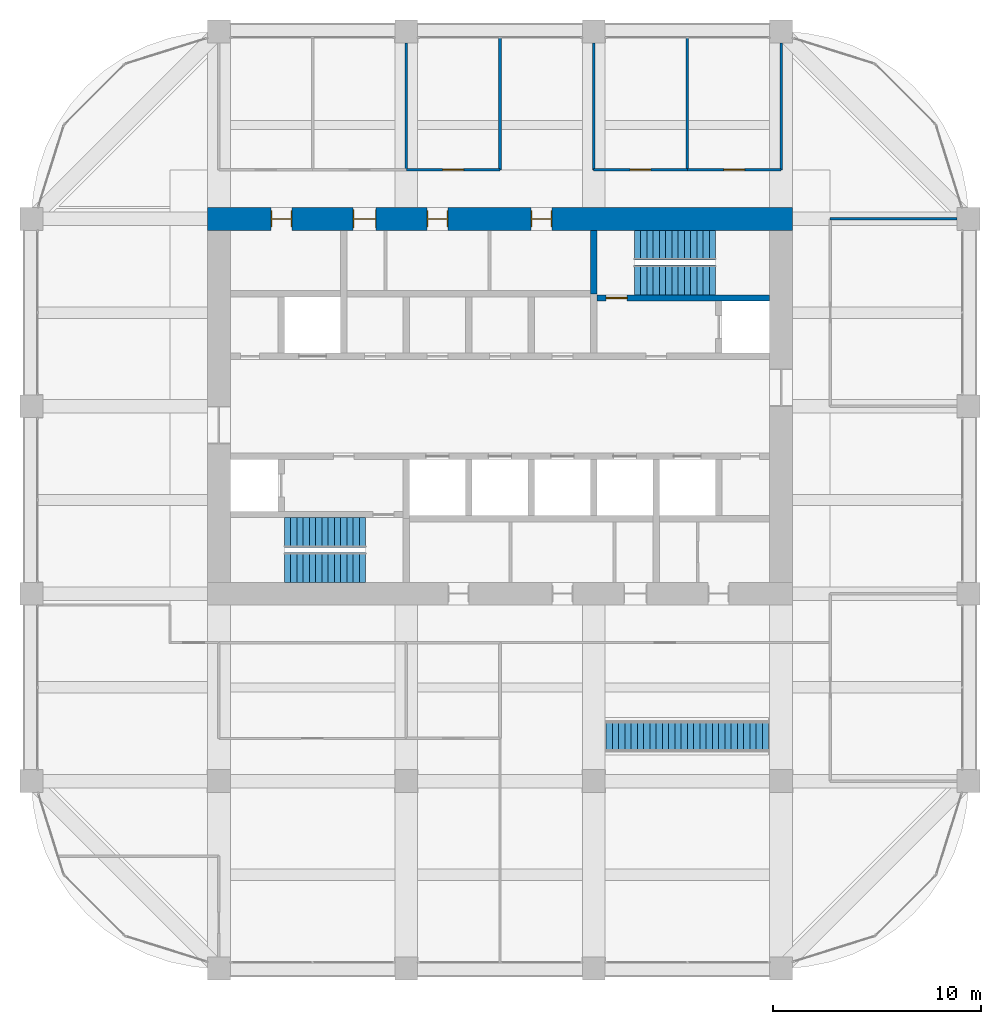
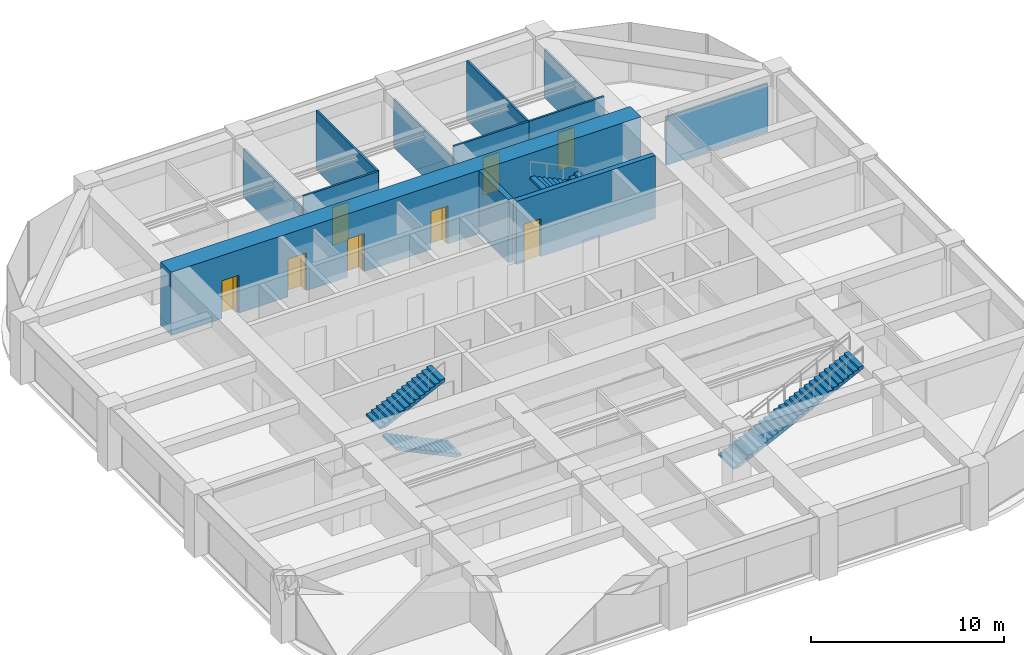
# One storey, part 43 of 44: 12 walls, 8 doors, 5 stair flights, 8 openings, 3 elements without a shape of their own.
"""IFC4 building model written with IfcOpenShell, lengths in metres."""

from ifc_helpers import new_model, si_unit, direction, frame, frame_2d, origin, place, context, subcontext, project, spatial, polyline, rectangle, outline, extrude, material, layer, layer_set, constituent, constituent_set, type_object, element, fill, aggregate, save


model = new_model("IFC4")

# Units and contexts
model_context = context("Model", 3, precision=1e-05, world=origin(), true_north=direction((0.0, 1.0)))
body_context = subcontext(model_context, "Body", "Model", "MODEL_VIEW")
ifc_project = project(units=[si_unit("LENGTHUNIT", "METRE"), si_unit("AREAUNIT", "SQUARE_METRE"), si_unit("VOLUMEUNIT", "CUBIC_METRE"), si_unit("PLANEANGLEUNIT", "RADIAN"), si_unit("MASSUNIT", "GRAM", prefix="KILO")], contexts=[model_context])

# Site, building, storey
site_placement = place(None, origin())
site = spatial("IfcSite", under=ifc_project, at=site_placement, CompositionType="ELEMENT")
building_placement = place(site_placement, origin())
building = spatial("IfcBuilding", under=site, at=building_placement, Name="Zorevar Civic Tower", CompositionType="ELEMENT")
storey_placement = place(building_placement, frame((0.0, 0.0, 251.39990234375)))
storey = spatial("IfcBuildingStorey", under=building, at=storey_placement, Name="L61", CompositionType="ELEMENT", Elevation=251.39990234375)

# Wall, openings, doors
ifc_material_1 = material(Name="Concrete C50/60", Category="concrete")
ifc_layer_1 = layer(ifc_material_1, 1.10009765625)
ifc_layer_set_1 = layer_set([ifc_layer_1], Name="Core wall 1100")
wall_type_1 = type_object("IfcWallType", Name="Core wall 1100", PredefinedType="SHEAR", material=ifc_layer_set_1)
wall_1_placement = place(storey_placement, frame((45.550048828125, 36.0, 0.0), z_axis=(0.0, 0.0, 1.0), x_axis=(-1.0, 0.0, 0.0)))
wall_1 = element("IfcWall", 1, at=wall_1_placement, inside=storey, type_object=wall_type_1, Name="Core wall N L61", PredefinedType="SHEAR", context=body_context, shape_type="SweptSolid", body=[
    extrude(rectangle(XDim=28.10009765625, YDim=1.10009765625, at=frame_2d((14.050048828125, 0.0))), origin(), (0.0, 0.0, 1.0), 4.0),
])
opening_1_placement = place(wall_1_placement, frame((11.550048828125, 0.0, 0.0)))
opening_1 = element("IfcOpeningElement", 2, at=opening_1_placement, cuts=wall_1, Name="Opening L61.07", PredefinedType="OPENING", context=body_context, shape_type="SweptSolid", body=[
    extrude(rectangle(XDim=1.0, YDim=2.39990234375, at=frame_2d((0.5, 1.199951171875))), frame((0.0, 0.56005859375, 0.0), z_axis=(0.0, -1.0, 0.0), x_axis=(1.0, 0.0, 0.0)), (0.0, 0.0, 1.0), 1.1201171875),
])
opening_2_placement = place(wall_1_placement, frame((16.550048828125, 0.0, 0.0)))
opening_2 = element("IfcOpeningElement", 3, at=opening_2_placement, cuts=wall_1, Name="Opening L61.08", PredefinedType="OPENING", context=body_context, shape_type="SweptSolid", body=[
    extrude(rectangle(XDim=1.0, YDim=2.39990234375, at=frame_2d((0.5, 1.199951171875))), frame((0.0, 0.56005859375, 0.0), z_axis=(0.0, -1.0, 0.0), x_axis=(1.0, 0.0, 0.0)), (0.0, 0.0, 1.0), 1.1201171875),
])
opening_3_placement = place(wall_1_placement, frame((20.0, 0.0, 0.0)))
opening_3 = element("IfcOpeningElement", 4, at=opening_3_placement, cuts=wall_1, Name="Opening L61.09", PredefinedType="OPENING", context=body_context, shape_type="SweptSolid", body=[
    extrude(rectangle(XDim=1.10009765625, YDim=2.39990234375, at=frame_2d((0.550048828125, 1.199951171875))), frame((0.0, 0.56005859375, 0.0), z_axis=(0.0, -1.0, 0.0), x_axis=(1.0, 0.0, 0.0)), (0.0, 0.0, 1.0), 1.1201171875),
])
opening_4_placement = place(wall_1_placement, frame((24.050048828125, 0.0, 0.0)))
opening_4 = element("IfcOpeningElement", 5, at=opening_4_placement, cuts=wall_1, Name="Opening L61.10", PredefinedType="OPENING", context=body_context, shape_type="SweptSolid", body=[
    extrude(rectangle(XDim=1.0, YDim=2.39990234375, at=frame_2d((0.5, 1.199951171875))), frame((0.0, 0.56005859375, 0.0), z_axis=(0.0, -1.0, 0.0), x_axis=(1.0, 0.0, 0.0)), (0.0, 0.0, 1.0), 1.1201171875),
])
ifc_material_2 = material(Name="Timber door set", Category="wood")
door_type_1 = type_object("IfcDoorType", Name="Door D1 1000x2400", OperationType="SINGLE_SWING_LEFT", PredefinedType="DOOR", material=ifc_material_2)
door_1_placement = place(opening_1_placement, origin())
door_1 = element("IfcDoor", 6, at=door_1_placement, inside=storey, type_object=door_type_1, Name="Door L61 06", OperationType="SINGLE_SWING_LEFT", OverallHeight=2.39990234375, OverallWidth=1.0, PredefinedType="DOOR", context=body_context, shape_type="SweptSolid", body=[
    extrude(rectangle(XDim=1.0, YDim=2.39990234375, at=frame_2d((0.5, 1.199951171875))), frame((0.0, 0.02490234375, 0.0), z_axis=(0.0, -1.0, 0.0), x_axis=(1.0, 0.0, 0.0)), (0.0, 0.0, 1.0), 0.050048828125),
    extrude(rectangle(XDim=0.04, YDim=2.39990234375, at=frame_2d((0.02001953125, 1.199951171875))), frame((0.0, 0.39990234375, 0.0), z_axis=(0.0, -1.0, 0.0), x_axis=(1.0, 0.0, 0.0)), (0.0, 0.0, 1.0), 0.800048828125),
    extrude(rectangle(XDim=0.04, YDim=2.39990234375, at=frame_2d((0.97998046875, 1.199951171875))), frame((0.0, 0.39990234375, 0.0), z_axis=(0.0, -1.0, 0.0), x_axis=(1.0, 0.0, 0.0)), (0.0, 0.0, 1.0), 0.800048828125),
    extrude(rectangle(XDim=1.0, YDim=0.04, at=frame_2d((0.5, 2.3798828125))), frame((0.0, 0.39990234375, 0.0), z_axis=(0.0, -1.0, 0.0), x_axis=(1.0, 0.0, 0.0)), (0.0, 0.0, 1.0), 0.800048828125),
])
fill(opening_1, door_1)
door_2_placement = place(opening_2_placement, origin())
door_2 = element("IfcDoor", 7, at=door_2_placement, inside=storey, type_object=door_type_1, Name="Door L61 07", OperationType="SINGLE_SWING_RIGHT", OverallHeight=2.39990234375, OverallWidth=1.0, PredefinedType="DOOR", context=body_context, shape_type="SweptSolid", body=[
    extrude(rectangle(XDim=1.0, YDim=2.39990234375, at=frame_2d((0.5, 1.199951171875))), frame((0.0, 0.02490234375, 0.0), z_axis=(0.0, -1.0, 0.0), x_axis=(1.0, 0.0, 0.0)), (0.0, 0.0, 1.0), 0.050048828125),
    extrude(rectangle(XDim=0.04, YDim=2.39990234375, at=frame_2d((0.02001953125, 1.199951171875))), frame((0.0, 0.39990234375, 0.0), z_axis=(0.0, -1.0, 0.0), x_axis=(1.0, 0.0, 0.0)), (0.0, 0.0, 1.0), 0.800048828125),
    extrude(rectangle(XDim=0.04, YDim=2.39990234375, at=frame_2d((0.97998046875, 1.199951171875))), frame((0.0, 0.39990234375, 0.0), z_axis=(0.0, -1.0, 0.0), x_axis=(1.0, 0.0, 0.0)), (0.0, 0.0, 1.0), 0.800048828125),
    extrude(rectangle(XDim=1.0, YDim=0.04, at=frame_2d((0.5, 2.3798828125))), frame((0.0, 0.39990234375, 0.0), z_axis=(0.0, -1.0, 0.0), x_axis=(1.0, 0.0, 0.0)), (0.0, 0.0, 1.0), 0.800048828125),
])
fill(opening_2, door_2)
door_3_placement = place(opening_4_placement, origin())
door_3 = element("IfcDoor", 8, at=door_3_placement, inside=storey, type_object=door_type_1, Name="Door L61 09", OperationType="SINGLE_SWING_RIGHT", OverallHeight=2.39990234375, OverallWidth=1.0, PredefinedType="DOOR", context=body_context, shape_type="SweptSolid", body=[
    extrude(rectangle(XDim=1.0, YDim=2.39990234375, at=frame_2d((0.5, 1.199951171875))), frame((0.0, 0.02490234375, 0.0), z_axis=(0.0, -1.0, 0.0), x_axis=(1.0, 0.0, 0.0)), (0.0, 0.0, 1.0), 0.050048828125),
    extrude(rectangle(XDim=0.04, YDim=2.39990234375, at=frame_2d((0.02001953125, 1.199951171875))), frame((0.0, 0.39990234375, 0.0), z_axis=(0.0, -1.0, 0.0), x_axis=(1.0, 0.0, 0.0)), (0.0, 0.0, 1.0), 0.800048828125),
    extrude(rectangle(XDim=0.04, YDim=2.39990234375, at=frame_2d((0.97998046875, 1.199951171875))), frame((0.0, 0.39990234375, 0.0), z_axis=(0.0, -1.0, 0.0), x_axis=(1.0, 0.0, 0.0)), (0.0, 0.0, 1.0), 0.800048828125),
    extrude(rectangle(XDim=1.0, YDim=0.04, at=frame_2d((0.5, 2.3798828125))), frame((0.0, 0.39990234375, 0.0), z_axis=(0.0, -1.0, 0.0), x_axis=(1.0, 0.0, 0.0)), (0.0, 0.0, 1.0), 0.800048828125),
])
fill(opening_4, door_3)
ifc_material_3 = material(Name="Timber door set", Category="wood")
door_type_2 = type_object("IfcDoorType", Name="Door D5 1100x2400", OperationType="SINGLE_SWING_LEFT", PredefinedType="DOOR", material=ifc_material_3)
door_4_placement = place(opening_3_placement, origin())
door_4 = element("IfcDoor", 9, at=door_4_placement, inside=storey, type_object=door_type_2, Name="Door L61 08", OperationType="SINGLE_SWING_RIGHT", OverallHeight=2.39990234375, OverallWidth=1.10009765625, PredefinedType="DOOR", context=body_context, shape_type="SweptSolid", body=[
    extrude(rectangle(XDim=1.10009765625, YDim=2.39990234375, at=frame_2d((0.550048828125, 1.199951171875))), frame((0.0, 0.02490234375, 0.0), z_axis=(0.0, -1.0, 0.0), x_axis=(1.0, 0.0, 0.0)), (0.0, 0.0, 1.0), 0.050048828125),
    extrude(rectangle(XDim=0.04, YDim=2.39990234375, at=frame_2d((0.02001953125, 1.199951171875))), frame((0.0, 0.43994140625, 0.0), z_axis=(0.0, -1.0, 0.0), x_axis=(1.0, 0.0, 0.0)), (0.0, 0.0, 1.0), 0.880126953125),
    extrude(rectangle(XDim=0.04, YDim=2.39990234375, at=frame_2d((1.080078125, 1.199951171875))), frame((0.0, 0.43994140625, 0.0), z_axis=(0.0, -1.0, 0.0), x_axis=(1.0, 0.0, 0.0)), (0.0, 0.0, 1.0), 0.880126953125),
    extrude(rectangle(XDim=1.10009765625, YDim=0.04, at=frame_2d((0.550048828125, 2.3798828125))), frame((0.0, 0.43994140625, 0.0), z_axis=(0.0, -1.0, 0.0), x_axis=(1.0, 0.0, 0.0)), (0.0, 0.0, 1.0), 0.880126953125),
])
fill(opening_3, door_4)

# Wall, opening, door
ifc_material_4 = material(Name="Concrete C40/50", Category="concrete")
ifc_layer_2 = layer(ifc_material_4, 0.300048828125)
ifc_layer_set_2 = layer_set([ifc_layer_2], Name="Inner core wall 300")
wall_type_2 = type_object("IfcWallType", Name="Inner core wall 300", PredefinedType="SHEAR", material=ifc_layer_set_2)
wall_2_placement = place(storey_placement, frame((36.14990234375, 32.199951171875, 0.0), z_axis=(0.0, 0.0, 1.0), x_axis=(1.0, 0.0, 0.0)))
wall_2 = element("IfcWall", 10, at=wall_2_placement, inside=storey, type_object=wall_type_2, Name="Inner core wall N00 L61", PredefinedType="SHEAR", context=body_context, shape_type="SweptSolid", body=[
    extrude(rectangle(XDim=8.300048828125, YDim=0.300048828125, at=frame_2d((4.14990234375, 0.0))), origin(), (0.0, 0.0, 1.0), 4.0),
])
opening_5_placement = place(wall_2_placement, frame((0.449951171875, 0.0, 0.0)))
opening_5 = element("IfcOpeningElement", 11, at=opening_5_placement, cuts=wall_2, Name="Opening L61.12", PredefinedType="OPENING", context=body_context, shape_type="SweptSolid", body=[
    extrude(rectangle(XDim=1.0, YDim=2.39990234375, at=frame_2d((0.5, 1.199951171875))), frame((0.0, 0.159912109375, 0.0), z_axis=(0.0, -1.0, 0.0), x_axis=(1.0, 0.0, 0.0)), (0.0, 0.0, 1.0), 0.320068359375),
])
ifc_material_5 = material(Name="Steel door set", Category="steel")
door_type_3 = type_object("IfcDoorType", Name="Fire door FD1 1000x2400", OperationType="SINGLE_SWING_LEFT", PredefinedType="DOOR", material=ifc_material_5)
door_5_placement = place(opening_5_placement, origin())
door_5 = element("IfcDoor", 12, at=door_5_placement, inside=storey, type_object=door_type_3, Name="Door L61 11", OperationType="SINGLE_SWING_RIGHT", OverallHeight=2.39990234375, OverallWidth=1.0, PredefinedType="DOOR", context=body_context, shape_type="SweptSolid", body=[
    extrude(rectangle(XDim=1.0, YDim=2.39990234375, at=frame_2d((0.5, 1.199951171875))), frame((0.0, 0.030029296875, 0.0), z_axis=(0.0, -1.0, 0.0), x_axis=(1.0, 0.0, 0.0)), (0.0, 0.0, 1.0), 0.06005859375),
])
fill(opening_5, door_5)

# Walls
wall_3_placement = place(storey_placement, frame((36.0, 32.39990234375, 0.0), z_axis=(0.0, 0.0, 1.0), x_axis=(0.0, 1.0, 0.0)))
element("IfcWall", 13, at=wall_3_placement, inside=storey, type_object=wall_type_2, Name="Inner core wall N01 L61", PredefinedType="SHEAR", context=body_context, shape_type="SweptSolid", body=[
    extrude(rectangle(XDim=3.050048828125, YDim=0.300048828125, at=frame_2d((1.52490234375, 0.0))), origin(), (0.0, 0.0, 1.0), 4.0),
])
ifc_material_6 = material(Name="Gypsum board on steel studs", Category="steel")
ifc_layer_3 = layer(ifc_material_6, 0.1201171875)
ifc_layer_set_3 = layer_set([ifc_layer_3], Name="Partition 120")
wall_type_3 = type_object("IfcWallType", Name="Partition 120", PredefinedType="PARTITIONING", material=ifc_layer_set_3)
wall_4_placement = place(storey_placement, frame((47.35009765625, 36.0, 0.0), z_axis=(0.0, 0.0, 1.0), x_axis=(1.0, 0.0, 0.0)))
element("IfcWall", 14, at=wall_4_placement, inside=storey, type_object=wall_type_3, Name="Partition 120 L61", PredefinedType="PARTITIONING", context=body_context, shape_type="SweptSolid", body=[
    extrude(rectangle(XDim=6.099853515625, YDim=0.1201171875, at=frame_2d((3.0498046875, 0.0))), origin(), (0.0, 0.0, 1.0), 3.050048828125),
])

# Wall, opening, door
wall_5_placement = place(storey_placement, frame((27.0, 38.35009765625, 0.0), z_axis=(0.0, 0.0, 1.0), x_axis=(1.0, 0.0, 0.0)))
wall_5 = element("IfcWall", 15, at=wall_5_placement, inside=storey, type_object=wall_type_3, Name="Partition 120 L61", PredefinedType="PARTITIONING", context=body_context, shape_type="SweptSolid", body=[
    extrude(rectangle(XDim=4.5, YDim=0.1201171875, at=frame_2d((2.25, 0.0))), origin(), (0.0, 0.0, 1.0), 3.75),
])
opening_6_placement = place(wall_5_placement, frame((1.75, 0.0, 0.0)))
opening_6 = element("IfcOpeningElement", 16, at=opening_6_placement, cuts=wall_5, Name="Opening L61.23", PredefinedType="OPENING", context=body_context, shape_type="SweptSolid", body=[
    extrude(rectangle(XDim=1.0, YDim=2.39990234375, at=frame_2d((0.5, 1.199951171875))), frame((0.0, 0.070068359375, 0.0), z_axis=(0.0, -1.0, 0.0), x_axis=(1.0, 0.0, 0.0)), (0.0, 0.0, 1.0), 0.14013671875),
])
door_6_placement = place(opening_6_placement, origin())
door_6 = element("IfcDoor", 17, at=door_6_placement, inside=storey, type_object=door_type_1, Name="Door L61 D1", OperationType="SINGLE_SWING_LEFT", OverallHeight=2.39990234375, OverallWidth=1.0, PredefinedType="DOOR", context=body_context, shape_type="SweptSolid", body=[
    extrude(rectangle(XDim=1.0, YDim=2.39990234375, at=frame_2d((0.5, 1.199951171875))), frame((0.0, 0.02490234375, 0.0), z_axis=(0.0, -1.0, 0.0), x_axis=(1.0, 0.0, 0.0)), (0.0, 0.0, 1.0), 0.050048828125),
])
fill(opening_6, door_6)

wall_6_placement = place(storey_placement, frame((36.0, 38.35009765625, 0.0), z_axis=(0.0, 0.0, 1.0), x_axis=(1.0, 0.0, 0.0)))
wall_6 = element("IfcWall", 18, at=wall_6_placement, inside=storey, type_object=wall_type_3, Name="Partition 120 L61", PredefinedType="PARTITIONING", context=body_context, shape_type="SweptSolid", body=[
    extrude(rectangle(XDim=4.5, YDim=0.1201171875, at=frame_2d((2.25, 0.0))), origin(), (0.0, 0.0, 1.0), 3.75),
])
opening_7_placement = place(wall_6_placement, frame((1.75, 0.0, 0.0)))
opening_7 = element("IfcOpeningElement", 19, at=opening_7_placement, cuts=wall_6, Name="Opening L61.24", PredefinedType="OPENING", context=body_context, shape_type="SweptSolid", body=[
    extrude(rectangle(XDim=1.0, YDim=2.39990234375, at=frame_2d((0.5, 1.199951171875))), frame((0.0, 0.070068359375, 0.0), z_axis=(0.0, -1.0, 0.0), x_axis=(1.0, 0.0, 0.0)), (0.0, 0.0, 1.0), 0.14013671875),
])
door_7_placement = place(opening_7_placement, origin())
door_7 = element("IfcDoor", 20, at=door_7_placement, inside=storey, type_object=door_type_1, Name="Door L61 D1", OperationType="SINGLE_SWING_RIGHT", OverallHeight=2.39990234375, OverallWidth=1.0, PredefinedType="DOOR", context=body_context, shape_type="SweptSolid", body=[
    extrude(rectangle(XDim=1.0, YDim=2.39990234375, at=frame_2d((0.5, 1.199951171875))), frame((0.0, 0.02490234375, 0.0), z_axis=(0.0, -1.0, 0.0), x_axis=(1.0, 0.0, 0.0)), (0.0, 0.0, 1.0), 0.050048828125),
])
fill(opening_7, door_7)

wall_7_placement = place(storey_placement, frame((40.5, 38.35009765625, 0.0), z_axis=(0.0, 0.0, 1.0), x_axis=(1.0, 0.0, 0.0)))
wall_7 = element("IfcWall", 21, at=wall_7_placement, inside=storey, type_object=wall_type_3, Name="Partition 120 L61", PredefinedType="PARTITIONING", context=body_context, shape_type="SweptSolid", body=[
    extrude(rectangle(XDim=4.5, YDim=0.1201171875, at=frame_2d((2.25, 0.0))), origin(), (0.0, 0.0, 1.0), 3.75),
])
opening_8_placement = place(wall_7_placement, frame((1.75, 0.0, 0.0)))
opening_8 = element("IfcOpeningElement", 22, at=opening_8_placement, cuts=wall_7, Name="Opening L61.25", PredefinedType="OPENING", context=body_context, shape_type="SweptSolid", body=[
    extrude(rectangle(XDim=1.0, YDim=2.39990234375, at=frame_2d((0.5, 1.199951171875))), frame((0.0, 0.070068359375, 0.0), z_axis=(0.0, -1.0, 0.0), x_axis=(1.0, 0.0, 0.0)), (0.0, 0.0, 1.0), 0.14013671875),
])
door_8_placement = place(opening_8_placement, origin())
door_8 = element("IfcDoor", 23, at=door_8_placement, inside=storey, type_object=door_type_1, Name="Door L61 D1", OperationType="SINGLE_SWING_RIGHT", OverallHeight=2.39990234375, OverallWidth=1.0, PredefinedType="DOOR", context=body_context, shape_type="SweptSolid", body=[
    extrude(rectangle(XDim=1.0, YDim=2.39990234375, at=frame_2d((0.5, 1.199951171875))), frame((0.0, 0.02490234375, 0.0), z_axis=(0.0, -1.0, 0.0), x_axis=(1.0, 0.0, 0.0)), (0.0, 0.0, 1.0), 0.050048828125),
])
fill(opening_8, door_8)

# Walls
wall_8_placement = place(storey_placement, frame((27.0, 38.35009765625, 0.0), z_axis=(0.0, 0.0, 1.0), x_axis=(0.0, 1.0, 0.0)))
element("IfcWall", 24, at=wall_8_placement, inside=storey, type_object=wall_type_3, Name="Partition 120 L61", PredefinedType="PARTITIONING", context=body_context, shape_type="SweptSolid", body=[
    extrude(rectangle(XDim=6.099853515625, YDim=0.1201171875, at=frame_2d((3.0498046875, 0.0))), origin(), (0.0, 0.0, 1.0), 3.050048828125),
])
wall_9_placement = place(storey_placement, frame((31.5, 38.35009765625, 0.0), z_axis=(0.0, 0.0, 1.0), x_axis=(0.0, 1.0, 0.0)))
element("IfcWall", 25, at=wall_9_placement, inside=storey, type_object=wall_type_3, Name="Partition 120 L61", PredefinedType="PARTITIONING", context=body_context, shape_type="SweptSolid", body=[
    extrude(rectangle(XDim=6.33984375, YDim=0.1201171875, at=frame_2d((3.169921875, 0.0))), origin(), (0.0, 0.0, 1.0), 3.75),
])
wall_10_placement = place(storey_placement, frame((36.0, 38.35009765625, 0.0), z_axis=(0.0, 0.0, 1.0), x_axis=(0.0, 1.0, 0.0)))
element("IfcWall", 26, at=wall_10_placement, inside=storey, type_object=wall_type_3, Name="Partition 120 L61", PredefinedType="PARTITIONING", context=body_context, shape_type="SweptSolid", body=[
    extrude(rectangle(XDim=6.099853515625, YDim=0.1201171875, at=frame_2d((3.0498046875, 0.0))), origin(), (0.0, 0.0, 1.0), 3.050048828125),
])
wall_11_placement = place(storey_placement, frame((40.5, 38.35009765625, 0.0), z_axis=(0.0, 0.0, 1.0), x_axis=(0.0, 1.0, 0.0)))
element("IfcWall", 27, at=wall_11_placement, inside=storey, type_object=wall_type_3, Name="Partition 120 L61", PredefinedType="PARTITIONING", context=body_context, shape_type="SweptSolid", body=[
    extrude(rectangle(XDim=6.33984375, YDim=0.1201171875, at=frame_2d((3.169921875, 0.0))), origin(), (0.0, 0.0, 1.0), 3.75),
])
wall_12_placement = place(storey_placement, frame((45.0, 38.35009765625, 0.0), z_axis=(0.0, 0.0, 1.0), x_axis=(0.0, 1.0, 0.0)))
element("IfcWall", 28, at=wall_12_placement, inside=storey, type_object=wall_type_3, Name="Partition 120 L61", PredefinedType="PARTITIONING", context=body_context, shape_type="SweptSolid", body=[
    extrude(rectangle(XDim=6.099853515625, YDim=0.1201171875, at=frame_2d((3.0498046875, 0.0))), origin(), (0.0, 0.0, 1.0), 3.050048828125),
])

# Stair, stair flight
ifc_material_7 = material(Name="Steel S355", Category="steel")
ifc_constituent_1 = constituent(ifc_material_7, Name="Structure")
ifc_material_8 = material(Name="Stone treads", Category="masonry")
ifc_constituent_2 = constituent(ifc_material_8, Name="Finish")
ifc_constituent_set_1 = constituent_set(constituents=[ifc_constituent_1, ifc_constituent_2], Name="Steel S355")
stair_type_1 = type_object("IfcStairType", Name="Interconnecting stair IS1", PredefinedType="STRAIGHT_RUN_STAIR", material=ifc_constituent_set_1)
stair_1_placement = place(storey_placement, origin())
stair_1 = element("IfcStair", 29, at=stair_1_placement, inside=storey, type_object=stair_type_1, Name="Interconnecting stair IS1 L61 to L62", PredefinedType="STRAIGHT_RUN_STAIR")
ifc_material_9 = material(Name="Steel S355", Category="steel")
ifc_constituent_3 = constituent(ifc_material_9, Name="Structure")
ifc_material_10 = material(Name="Stone treads", Category="masonry")
ifc_constituent_4 = constituent(ifc_material_10, Name="Finish")
ifc_constituent_set_2 = constituent_set(constituents=[ifc_constituent_3, ifc_constituent_4], Name="Steel S355")
stair_flight_type_1 = type_object("IfcStairFlightType", Name="Interconnecting stair flight", PredefinedType="STRAIGHT", material=ifc_constituent_set_2)
stair_flight_1_placement = place(storey_placement, frame((36.60009765625, 11.14990234375, 0.0), z_axis=(0.0, 0.0, 1.0), x_axis=(1.0, 0.0, 0.0)))
stair_flight_1 = element("IfcStairFlight", 30, at=stair_flight_1_placement, type_object=stair_flight_type_1, Name="IS1 flight 1", NumberOfRisers=27, NumberOfTreads=26, PredefinedType="STRAIGHT", RiserHeight=0.148148148, TreadLength=0.3, context=body_context, shape_type="SweptSolid", body=[
    extrude(outline(polyline([(0.0, 0.0), (0.0, 0.148193359375), (0.300048828125, 0.148193359375), (0.300048828125, 0.29638671875), (0.60009765625, 0.29638671875), (0.60009765625, 0.4443359375), (0.89990234375, 0.4443359375), (0.89990234375, 0.592529296875), (1.199951171875, 0.592529296875), (1.199951171875, 0.74072265625), (1.5, 0.74072265625), (1.5, 0.888916015625), (1.800048828125, 0.888916015625), (1.800048828125, 1.037109375), (2.10009765625, 1.037109375), (2.10009765625, 1.185302734375), (2.39990234375, 1.185302734375), (2.39990234375, 1.333251953125), (2.699951171875, 1.333251953125), (2.699951171875, 1.4814453125), (3.0, 1.4814453125), (3.0, 1.629638671875), (3.300048828125, 1.629638671875), (3.300048828125, 1.77783203125), (3.60009765625, 1.77783203125), (3.60009765625, 1.926025390625), (3.89990234375, 1.926025390625), (3.89990234375, 2.073974609375), (4.199951171875, 2.073974609375), (4.199951171875, 2.22216796875), (4.5, 2.22216796875), (4.5, 2.370361328125), (4.800048828125, 2.370361328125), (4.800048828125, 2.5185546875), (5.10009765625, 2.5185546875), (5.10009765625, 2.666748046875), (5.39990234375, 2.666748046875), (5.39990234375, 2.814697265625), (5.699951171875, 2.814697265625), (5.699951171875, 2.962890625), (6.0, 2.962890625), (6.0, 3.111083984375), (6.300048828125, 3.111083984375), (6.300048828125, 3.25927734375), (6.60009765625, 3.25927734375), (6.60009765625, 3.407470703125), (6.89990234375, 3.407470703125), (6.89990234375, 3.5556640625), (7.199951171875, 3.5556640625), (7.199951171875, 3.70361328125), (7.5, 3.70361328125), (7.5, 3.851806640625), (7.800048828125, 3.851806640625), (7.800048828125, 4.0), (7.800048828125, 3.6845703125), (0.338623046875, 0.0), (0.0, 0.0)])), frame((0.0, 0.75, 0.0), z_axis=(0.0, -1.0, 0.0), x_axis=(1.0, 0.0, 0.0)), (0.0, 0.0, 1.0), 1.5),
])
aggregate(stair_1, [stair_flight_1])

# Stair, stair flights
ifc_material_11 = material(Name="Precast concrete C40/50", Category="concrete")
stair_type_2 = type_object("IfcStairType", Name="Stair ST 28R", PredefinedType="HALF_TURN_STAIR", material=ifc_material_11)
stair_2_placement = place(storey_placement, origin())
stair_2 = element("IfcStair", 31, at=stair_2_placement, inside=storey, type_object=stair_type_2, Name="Stair ST1 L61", PredefinedType="HALF_TURN_STAIR")
ifc_material_12 = material(Name="Precast concrete C40/50", Category="concrete")
stair_flight_type_2 = type_object("IfcStairFlightType", Name="Stair flight", PredefinedType="STRAIGHT", material=ifc_material_12)
stair_flight_2_placement = place(storey_placement, frame((25.050048828125, 19.262451171875, 0.0), z_axis=(0.0, 0.0, 1.0), x_axis=(-1.0, 0.0, 0.0)))
stair_flight_2 = element("IfcStairFlight", 32, at=stair_flight_2_placement, type_object=stair_flight_type_2, Name="ST1 flight 1", NumberOfRisers=14, NumberOfTreads=13, PredefinedType="STRAIGHT", RiserHeight=0.142857143, TreadLength=0.3, context=body_context, shape_type="SweptSolid", body=[
    extrude(outline(polyline([(0.0, 0.0), (0.0, 0.142822265625), (0.300048828125, 0.142822265625), (0.300048828125, 0.28564453125), (0.60009765625, 0.28564453125), (0.60009765625, 0.428466796875), (0.89990234375, 0.428466796875), (0.89990234375, 0.571533203125), (1.199951171875, 0.571533203125), (1.199951171875, 0.71435546875), (1.5, 0.71435546875), (1.5, 0.857177734375), (1.800048828125, 0.857177734375), (1.800048828125, 1.0), (2.10009765625, 1.0), (2.10009765625, 1.142822265625), (2.39990234375, 1.142822265625), (2.39990234375, 1.28564453125), (2.699951171875, 1.28564453125), (2.699951171875, 1.428466796875), (3.0, 1.428466796875), (3.0, 1.571533203125), (3.300048828125, 1.571533203125), (3.300048828125, 1.71435546875), (3.60009765625, 1.71435546875), (3.60009765625, 1.857177734375), (3.89990234375, 1.857177734375), (3.89990234375, 2.0), (3.89990234375, 1.691162109375), (0.3486328125, 0.0), (0.0, 0.0)])), frame((0.0, 0.71240234375, 0.0), z_axis=(0.0, -1.0, 0.0), x_axis=(1.0, 0.0, 0.0)), (0.0, 0.0, 1.0), 1.425048828125),
])
stair_flight_3_placement = place(storey_placement, frame((21.14990234375, 20.9375, 2.0), z_axis=(0.0, 0.0, 1.0), x_axis=(1.0, 0.0, 0.0)))
stair_flight_3 = element("IfcStairFlight", 33, at=stair_flight_3_placement, type_object=stair_flight_type_2, Name="ST1 flight 2", NumberOfRisers=14, NumberOfTreads=13, PredefinedType="STRAIGHT", RiserHeight=0.142857143, TreadLength=0.3, context=body_context, shape_type="SweptSolid", body=[
    extrude(outline(polyline([(0.0, 0.0), (0.0, 0.142822265625), (0.300048828125, 0.142822265625), (0.300048828125, 0.28564453125), (0.60009765625, 0.28564453125), (0.60009765625, 0.428466796875), (0.89990234375, 0.428466796875), (0.89990234375, 0.571533203125), (1.199951171875, 0.571533203125), (1.199951171875, 0.71435546875), (1.5, 0.71435546875), (1.5, 0.857177734375), (1.800048828125, 0.857177734375), (1.800048828125, 1.0), (2.10009765625, 1.0), (2.10009765625, 1.142822265625), (2.39990234375, 1.142822265625), (2.39990234375, 1.28564453125), (2.699951171875, 1.28564453125), (2.699951171875, 1.428466796875), (3.0, 1.428466796875), (3.0, 1.571533203125), (3.300048828125, 1.571533203125), (3.300048828125, 1.71435546875), (3.60009765625, 1.71435546875), (3.60009765625, 1.857177734375), (3.89990234375, 1.857177734375), (3.89990234375, 2.0), (3.89990234375, 1.691162109375), (0.3486328125, 0.0), (0.0, 0.0)])), frame((0.0, 0.71240234375, 0.0), z_axis=(0.0, -1.0, 0.0), x_axis=(1.0, 0.0, 0.0)), (0.0, 0.0, 1.0), 1.425048828125),
])
aggregate(stair_2, [stair_flight_2, stair_flight_3])

stair_3_placement = place(storey_placement, origin())
stair_3 = element("IfcStair", 34, at=stair_3_placement, inside=storey, type_object=stair_type_2, Name="Stair ST2 L61", PredefinedType="HALF_TURN_STAIR")
stair_flight_4_placement = place(storey_placement, frame((37.949951171875, 34.737548828125, 0.0), z_axis=(0.0, 0.0, 1.0), x_axis=(1.0, 0.0, 0.0)))
stair_flight_4 = element("IfcStairFlight", 35, at=stair_flight_4_placement, type_object=stair_flight_type_2, Name="ST2 flight 1", NumberOfRisers=14, NumberOfTreads=13, PredefinedType="STRAIGHT", RiserHeight=0.142857143, TreadLength=0.3, context=body_context, shape_type="SweptSolid", body=[
    extrude(outline(polyline([(0.0, 0.0), (0.0, 0.142822265625), (0.300048828125, 0.142822265625), (0.300048828125, 0.28564453125), (0.60009765625, 0.28564453125), (0.60009765625, 0.428466796875), (0.89990234375, 0.428466796875), (0.89990234375, 0.571533203125), (1.199951171875, 0.571533203125), (1.199951171875, 0.71435546875), (1.5, 0.71435546875), (1.5, 0.857177734375), (1.800048828125, 0.857177734375), (1.800048828125, 1.0), (2.10009765625, 1.0), (2.10009765625, 1.142822265625), (2.39990234375, 1.142822265625), (2.39990234375, 1.28564453125), (2.699951171875, 1.28564453125), (2.699951171875, 1.428466796875), (3.0, 1.428466796875), (3.0, 1.571533203125), (3.300048828125, 1.571533203125), (3.300048828125, 1.71435546875), (3.60009765625, 1.71435546875), (3.60009765625, 1.857177734375), (3.89990234375, 1.857177734375), (3.89990234375, 2.0), (3.89990234375, 1.691162109375), (0.3486328125, 0.0), (0.0, 0.0)])), frame((0.0, 0.71240234375, 0.0), z_axis=(0.0, -1.0, 0.0), x_axis=(1.0, 0.0, 0.0)), (0.0, 0.0, 1.0), 1.425048828125),
])
stair_flight_5_placement = place(storey_placement, frame((41.85009765625, 33.0625, 2.0), z_axis=(0.0, 0.0, 1.0), x_axis=(-1.0, 0.0, 0.0)))
stair_flight_5 = element("IfcStairFlight", 36, at=stair_flight_5_placement, type_object=stair_flight_type_2, Name="ST2 flight 2", NumberOfRisers=14, NumberOfTreads=13, PredefinedType="STRAIGHT", RiserHeight=0.142857143, TreadLength=0.3, context=body_context, shape_type="SweptSolid", body=[
    extrude(outline(polyline([(0.0, 0.0), (0.0, 0.142822265625), (0.300048828125, 0.142822265625), (0.300048828125, 0.28564453125), (0.60009765625, 0.28564453125), (0.60009765625, 0.428466796875), (0.89990234375, 0.428466796875), (0.89990234375, 0.571533203125), (1.199951171875, 0.571533203125), (1.199951171875, 0.71435546875), (1.5, 0.71435546875), (1.5, 0.857177734375), (1.800048828125, 0.857177734375), (1.800048828125, 1.0), (2.10009765625, 1.0), (2.10009765625, 1.142822265625), (2.39990234375, 1.142822265625), (2.39990234375, 1.28564453125), (2.699951171875, 1.28564453125), (2.699951171875, 1.428466796875), (3.0, 1.428466796875), (3.0, 1.571533203125), (3.300048828125, 1.571533203125), (3.300048828125, 1.71435546875), (3.60009765625, 1.71435546875), (3.60009765625, 1.857177734375), (3.89990234375, 1.857177734375), (3.89990234375, 2.0), (3.89990234375, 1.691162109375), (0.3486328125, 0.0), (0.0, 0.0)])), frame((0.0, 0.71240234375, 0.0), z_axis=(0.0, -1.0, 0.0), x_axis=(1.0, 0.0, 0.0)), (0.0, 0.0, 1.0), 1.425048828125),
])
aggregate(stair_3, [stair_flight_4, stair_flight_5])

save(model, "model.ifc")
